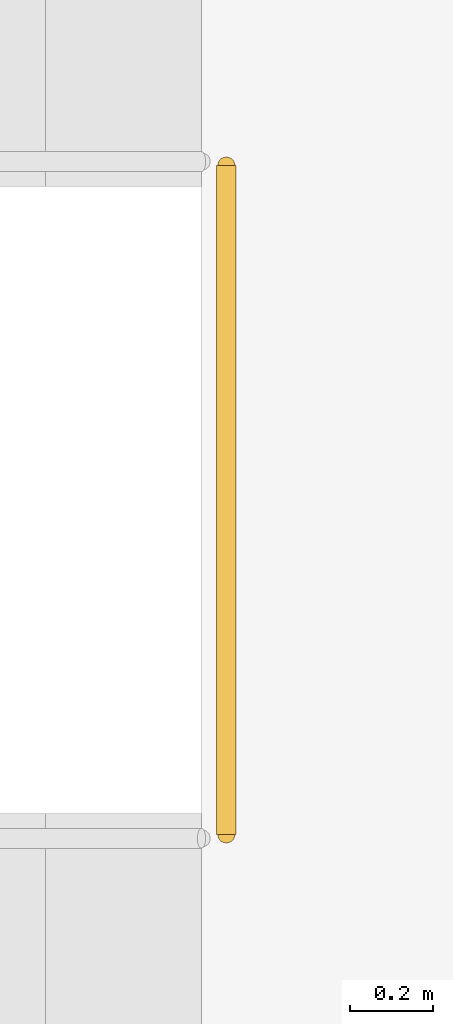
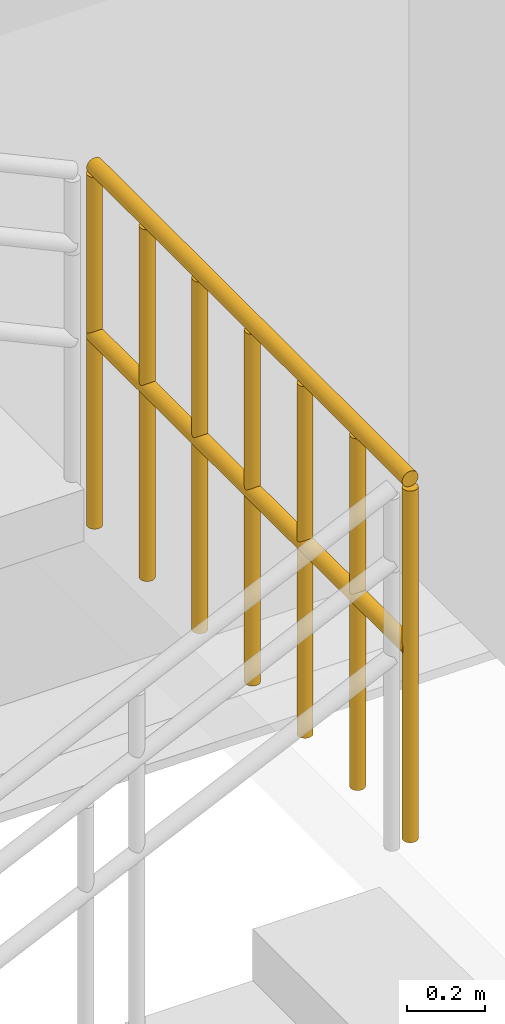
# One storey, part 125 of 130: 1 railing.
"""IFC4 building model written with IfcOpenShell, lengths in metres."""

from ifc_helpers import new_model, si_unit, direction, frame, origin, origin_2d, place, context, subcontext, project, spatial, circle, extrude, material, type_object, element, save


model = new_model("IFC4")

# Units and contexts
model_context = context("Model", 3, precision=1e-05, world=origin(), true_north=direction((0.0, 1.0)))
body_context = subcontext(model_context, "Body", "Model", "MODEL_VIEW")
ifc_project = project(units=[si_unit("LENGTHUNIT", "METRE"), si_unit("AREAUNIT", "SQUARE_METRE"), si_unit("VOLUMEUNIT", "CUBIC_METRE"), si_unit("PLANEANGLEUNIT", "RADIAN"), si_unit("MASSUNIT", "GRAM", prefix="KILO")], contexts=[model_context])

# Site, building, storey
site_placement = place(None, origin())
site = spatial("IfcSite", under=ifc_project, at=site_placement, CompositionType="ELEMENT")
building_placement = place(site_placement, origin())
building = spatial("IfcBuilding", under=site, at=building_placement, Name="Qandorah Velis Arena", CompositionType="ELEMENT")
storey_placement = place(building_placement, frame((0.0, 0.0, 9.60009765625)))
storey = spatial("IfcBuildingStorey", under=building, at=storey_placement, Name="L02", CompositionType="ELEMENT", Elevation=9.60009765625)

# Railing
ifc_material = material(Name="Stainless steel 316", Category="steel")
railing_type = type_object("IfcRailingType", Name="ARC-RL-GRD1150", PredefinedType="GUARDRAIL", material=ifc_material)
railing_placement = place(storey_placement, frame((58.14599609375, 125.239990234375, 2.099853515625)))
element("IfcRailing", 1, at=railing_placement, inside=storey, type_object=railing_type, Name="Stair ST10 well guardrail (L02)", PredefinedType="GUARDRAIL", context=body_context, shape_type="SweptSolid", body=[
    extrude(circle(Radius=0.02392578125, at=origin_2d()), frame((0.0, 0.0, 1.1259765625), z_axis=(0.0, 1.0, 0.0), x_axis=(-1.0, 0.0, 0.0)), (0.0, 0.0, 1.0), 1.6201171875),
    extrude(circle(Radius=0.02392578125, at=origin_2d()), frame((0.0, 0.0, 0.597900390625), z_axis=(0.0, 1.0, 0.0), x_axis=(-1.0, 0.0, 0.0)), (0.0, 0.0, 1.0), 1.6201171875),
    extrude(circle(Radius=0.02099609375, at=origin_2d()), origin(), (0.0, 0.0, 1.0), 1.101806640625),
    extrude(circle(Radius=0.02099609375, at=origin_2d()), frame((0.0, 0.27001953125, 0.0)), (0.0, 0.0, 1.0), 1.101806640625),
    extrude(circle(Radius=0.02099609375, at=origin_2d()), frame((0.0, 0.5400390625, 0.0)), (0.0, 0.0, 1.0), 1.101806640625),
    extrude(circle(Radius=0.02099609375, at=origin_2d()), frame((0.0, 0.81005859375, 0.0)), (0.0, 0.0, 1.0), 1.101806640625),
    extrude(circle(Radius=0.02099609375, at=origin_2d()), frame((0.0, 1.080078125, 0.0)), (0.0, 0.0, 1.0), 1.101806640625),
    extrude(circle(Radius=0.02099609375, at=origin_2d()), frame((0.0, 1.35009765625, 0.0)), (0.0, 0.0, 1.0), 1.101806640625),
    extrude(circle(Radius=0.02099609375, at=origin_2d()), frame((0.0, 1.6201171875, 0.0)), (0.0, 0.0, 1.0), 1.101806640625),
])

save(model, "model.ifc")
